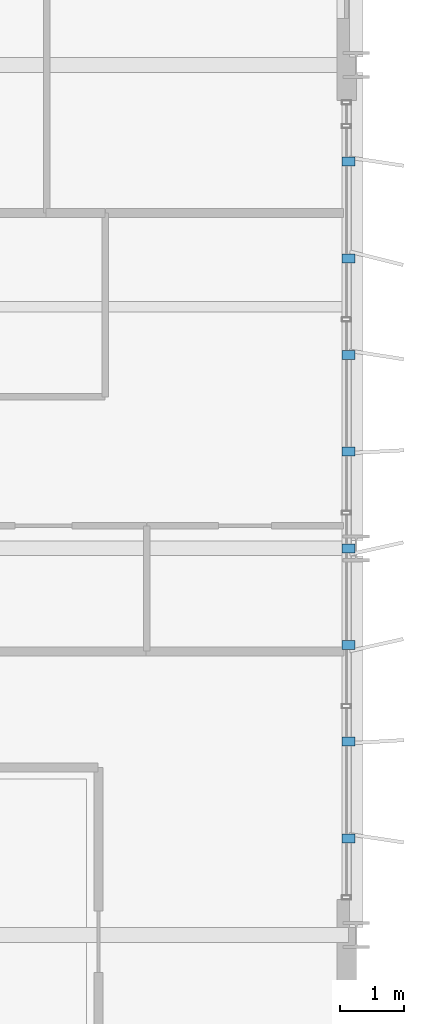
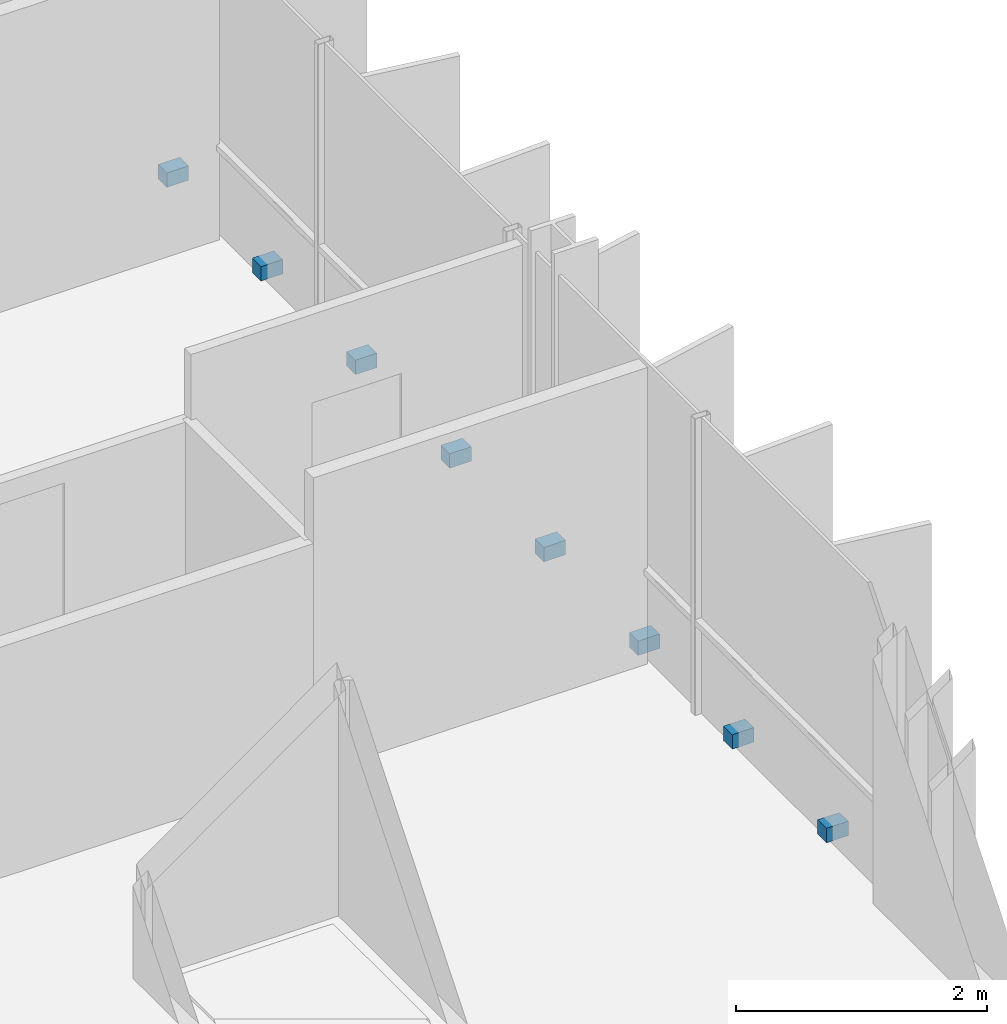
# One storey, part 35 of 38: 8 discrete accessories.
"""IFC4 building model written with IfcOpenShell, lengths in metres."""

import ifcopenshell
import ifcopenshell.guid

model = None  # the IFC model being written
_history = None  # IfcOwnerHistory: only IFC2X3 demands one
_inside = {}  # id of a spatial element -> (the spatial element, [elements in it])
_under = {}  # id of a project, library or spatial element -> (it, [spatial elements below it])
_declared = {}  # id of a project -> (the project, [libraries it declares])
_typed = {}  # id of a type object -> (the type object, [elements of that type])
_made_of = {}  # id of a material, layer set ... -> (it, [elements and type objects made of it])


def new_model(schema):
    """Start an empty IFC model of exactly this schema.

    Asked for "IFC4X3", IfcOpenShell would pick the latest addendum, in which some entities
    have other attributes; the version numbers below select the first issue.
    IFC2X3 requires an IfcOwnerHistory on every rooted entity: one is made here for all.
    """
    global model, _history
    if schema == "IFC4X3":
        model = ifcopenshell.file(schema_version=(4, 3, 0, 0))
    else:
        model = ifcopenshell.file(schema=schema)
    _inside.clear()
    _under.clear()
    _declared.clear()
    _typed.clear()
    _made_of.clear()
    _history = None
    if model.schema == "IFC2X3":
        org = make("IfcOrganization", Name="unknown")
        user = make(
            "IfcPersonAndOrganization",
            ThePerson=make("IfcPerson", FamilyName="unknown"),
            TheOrganization=org,
        )
        app = make(
            "IfcApplication",
            ApplicationDeveloper=org,
            Version="unknown",
            ApplicationFullName="unknown",
            ApplicationIdentifier="unknown",
        )
        _history = make(
            "IfcOwnerHistory",
            OwningUser=user,
            OwningApplication=app,
            ChangeAction="ADDED",
            CreationDate=0,
        )
    return model


def make(cls, **values):
    """One entity of the class cls with the attributes given. An attribute that is None is left unset."""
    return model.create_entity(
        cls, **{name: value for name, value in values.items() if value is not None}
    )


def rooted(cls, **values):
    """An entity with a GlobalId (a new one), such as an element, a storey or a relation."""
    return make(cls, GlobalId=ifcopenshell.guid.new(), OwnerHistory=_history, **values)


def si_unit(unit_type, name, prefix=None):
    """IfcSIUnit, for example si_unit("LENGTHUNIT", "METRE", prefix="MILLI")."""
    return make("IfcSIUnit", UnitType=unit_type, Prefix=prefix, Name=name)


def assignment(units):
    """IfcUnitAssignment: the units of a project."""
    return None if units is None else make("IfcUnitAssignment", Units=units)


def point(xyz):
    """IfcCartesianPoint."""
    return None if xyz is None else make("IfcCartesianPoint", Coordinates=xyz)


def direction(xyz):
    """IfcDirection."""
    return None if xyz is None else make("IfcDirection", DirectionRatios=xyz)


def frame(location, z_axis=None, x_axis=None):
    """IfcAxis2Placement3D, a coordinate frame: its origin and axes. An axis left out is left unset."""
    return make(
        "IfcAxis2Placement3D",
        Location=point(location),
        Axis=direction(z_axis),
        RefDirection=direction(x_axis),
    )


def frame_2d(location, x_axis=None):
    """IfcAxis2Placement2D, a coordinate frame in the plane: its origin and x axis."""
    return make(
        "IfcAxis2Placement2D", Location=point(location), RefDirection=direction(x_axis)
    )


def origin():
    """The frame at (0, 0, 0) with its axes left unset."""
    return frame((0.0, 0.0, 0.0))


def origin_2d():
    """The frame at (0, 0) in the plane with its x axis left unset."""
    return frame_2d((0.0, 0.0))


def place(relative_to, where):
    """IfcLocalPlacement: puts the frame where relative to a parent placement (None: the world)."""
    return make(
        "IfcLocalPlacement", PlacementRelTo=relative_to, RelativePlacement=where
    )


def context(
    kind, dimensions, precision=None, world=None, true_north=None, identifier=None
):
    """IfcGeometricRepresentationContext, for example the 3D "Model" context."""
    return make(
        "IfcGeometricRepresentationContext",
        ContextIdentifier=identifier,
        ContextType=kind,
        CoordinateSpaceDimension=dimensions,
        Precision=precision,
        WorldCoordinateSystem=world,
        TrueNorth=true_north,
    )


def subcontext(parent, identifier, kind, view, scale=None):
    """IfcGeometricRepresentationSubContext, for example "Body" below "Model"."""
    return make(
        "IfcGeometricRepresentationSubContext",
        ContextIdentifier=identifier,
        ContextType=kind,
        ParentContext=parent,
        TargetScale=scale,
        TargetView=view,
    )


def project(units=None, contexts=None):
    """IfcProject with its units and contexts."""
    return rooted(
        "IfcProject",
        Name="project",
        RepresentationContexts=contexts,
        UnitsInContext=assignment(units),
    )


def spatial(cls, under=None, at=None, **own):
    """A site, building, storey or space (cls), placed at a placement, below another one or the project."""
    s = rooted(cls, ObjectPlacement=at, **own)
    if under is not None:
        _under.setdefault(under.id(), (under, []))[1].append(s)
    return s


def profile(cls, at=None, kind="AREA", **sizes):
    """A parametric profile (cls). Its sizes go by their IFC names, for example OverallWidth=200.0."""
    return make(cls, ProfileType=kind, Position=at, **sizes)


def rectangle(**sizes):
    """IfcRectangleProfileDef."""
    return profile("IfcRectangleProfileDef", **sizes)


def extrude(swept, where, along, depth):
    """IfcExtrudedAreaSolid: the profile swept, set in the frame where, extruded along a direction by depth."""
    return make(
        "IfcExtrudedAreaSolid",
        SweptArea=swept,
        Position=where,
        ExtrudedDirection=direction(along),
        Depth=depth,
    )


def shape(context_of_items, identifier, shape_type, items):
    """IfcShapeRepresentation: the items that make up one representation, for example the "Body"."""
    return make(
        "IfcShapeRepresentation",
        ContextOfItems=context_of_items,
        RepresentationIdentifier=identifier,
        RepresentationType=shape_type,
        Items=items,
    )


def material(Name=None, Category=None):
    """IfcMaterial."""
    return make("IfcMaterial", Name=Name, Category=Category)


def made_of(thing, what):
    """Note that an element or type object is made of a material, layer set ...; save() writes the relation."""
    if what is not None:
        _made_of.setdefault(what.id(), (what, []))[1].append(thing)
    return thing


def type_object(cls, material=None, **own):
    """A type object (cls), such as IfcWallType, which elements share."""
    return made_of(rooted(cls, **own), material)


def element(
    cls,
    number,
    at=None,
    inside=None,
    cuts=None,
    type_object=None,
    material=None,
    context=None,
    identifier="Body",
    shape_type=None,
    held_by="IfcProductDefinitionShape",
    body=None,
    shapes=None,
    **own,
):
    """One element of the class cls, such as IfcWall. Its Tag is "e" and its number.

    at: its placement. inside: the storey or other place that contains it. cuts: it is an
    opening in that element (IfcRelVoidsElement). A single representation is given by context,
    identifier, shape_type and body (its items); several are given by shapes. held_by: the class
    of the entity that holds the representations. save() writes the other relations.
    """
    e = rooted(cls, Tag="e%d" % number, ObjectPlacement=at, **own)
    if body is not None:
        shapes = [shape(context, identifier, shape_type, body)]
    if shapes is not None:
        e.Representation = make(held_by, Representations=shapes)
    if inside is not None:
        _inside.setdefault(inside.id(), (inside, []))[1].append(e)
    if cuts is not None:
        rooted(
            "IfcRelVoidsElement", RelatingBuildingElement=cuts, RelatedOpeningElement=e
        )
    if type_object is not None:
        _typed.setdefault(type_object.id(), (type_object, []))[1].append(e)
    return made_of(e, material)


def aggregate(whole, parts):
    """IfcRelAggregates: a whole, such as a stair, and the parts it consists of."""
    return rooted("IfcRelAggregates", RelatingObject=whole, RelatedObjects=parts)


def save(model, path):
    """Write the relations noted so far, then the file.

    IfcRelAggregates (storeys below a building ...), IfcRelContainedInSpatialStructure (elements
    in a storey), IfcRelDefinesByType, IfcRelAssociatesMaterial and IfcRelDeclares: one each for
    every whole, place, type object, material and project.
    """
    for whole, parts in _under.values():
        aggregate(whole, parts)
    for where, things in _inside.values():
        rooted(
            "IfcRelContainedInSpatialStructure",
            RelatedElements=things,
            RelatingStructure=where,
        )
    for kind, things in _typed.values():
        rooted("IfcRelDefinesByType", RelatedObjects=things, RelatingType=kind)
    for what, things in _made_of.values():
        rooted("IfcRelAssociatesMaterial", RelatedObjects=things, RelatingMaterial=what)
    for by, libraries in _declared.values():
        rooted("IfcRelDeclares", RelatingContext=by, RelatedDefinitions=libraries)
    model.write(path)


model = new_model("IFC4")

# Units and contexts
model_context = context("Model", 3, precision=1e-05, world=origin(), true_north=direction((0.0, 1.0)))
body_context = subcontext(model_context, "Body", "Model", "MODEL_VIEW")
ifc_project = project(units=[si_unit("LENGTHUNIT", "METRE"), si_unit("AREAUNIT", "SQUARE_METRE"), si_unit("VOLUMEUNIT", "CUBIC_METRE"), si_unit("PLANEANGLEUNIT", "RADIAN"), si_unit("MASSUNIT", "GRAM", prefix="KILO")], contexts=[model_context])

# Site, building, storey
site_placement = place(None, origin())
site = spatial("IfcSite", under=ifc_project, at=site_placement, CompositionType="ELEMENT")
building_placement = place(site_placement, origin())
building = spatial("IfcBuilding", under=site, at=building_placement, Name="Brevholm Reach", CompositionType="ELEMENT")
storey_placement = place(building_placement, frame((0.0, 0.0, 141.800048828125)))
storey = spatial("IfcBuildingStorey", under=building, at=storey_placement, Name="L42", CompositionType="ELEMENT", Elevation=141.800048828125)

# Discrete accessories
ifc_material = material(Name="Duplex Stainless Steel EN 1.4462", Category="steel")
discrete_accessory_type = type_object("IfcDiscreteAccessoryType", Name="ACC-BRK-01", PredefinedType="BRACKET", material=ifc_material)
for number, where, z_axis, x_axis, name in (
    (1, (59.8798828125, 11.5, 0.02978515625), (0.0, 0.0, 1.0), (1.0, 0.0, 0.0), "L42 Solar Screen Support Bracket 1"),
    (2, (59.8798828125, 13.0, 0.02978515625), (0.0, 0.0, 1.0), (1.0, 0.0, 0.0), "L42 Solar Screen Support Bracket 2"),
    (3, (59.8798828125, 14.5, 0.02978515625), (0.0, 0.0, 1.0), (1.0, 0.0, 0.0), "L42 Solar Screen Support Bracket 3"),
    (4, (59.8798828125, 16.0, 0.02978515625), (0.0, 0.0, 1.0), (1.0, 0.0, 0.0), "L42 Solar Screen Support Bracket 4"),
    (5, (59.8798828125, 17.5, 0.02978515625), (0.0, 0.0, 1.0), (1.0, 0.0, 0.0), "L42 Solar Screen Support Bracket 5"),
    (6, (59.8798828125, 19.0, 0.02978515625), (0.0, 0.0, 1.0), (1.0, 0.0, 0.0), "L42 Solar Screen Support Bracket 6"),
    (7, (59.8798828125, 20.5, 0.02978515625), (0.0, 0.0, 1.0), (1.0, 0.0, 0.0), "L42 Solar Screen Support Bracket 7"),
    (8, (59.8798828125, 22.0, 0.02978515625), (0.0, 0.0, 1.0), (1.0, 0.0, 0.0), "L42 Solar Screen Support Bracket 8"),
):
    element("IfcDiscreteAccessory", number, at=place(storey_placement, frame(where, z_axis=z_axis, x_axis=x_axis)), inside=storey, type_object=discrete_accessory_type, Name=name, PredefinedType="BRACKET", context=body_context, shape_type="SweptSolid", body=[
        extrude(rectangle(XDim=0.199951171875, YDim=0.139892578125, at=origin_2d()), origin(), (0.0, 0.0, 1.0), 0.139892578125),
    ])

save(model, "model.ifc")
